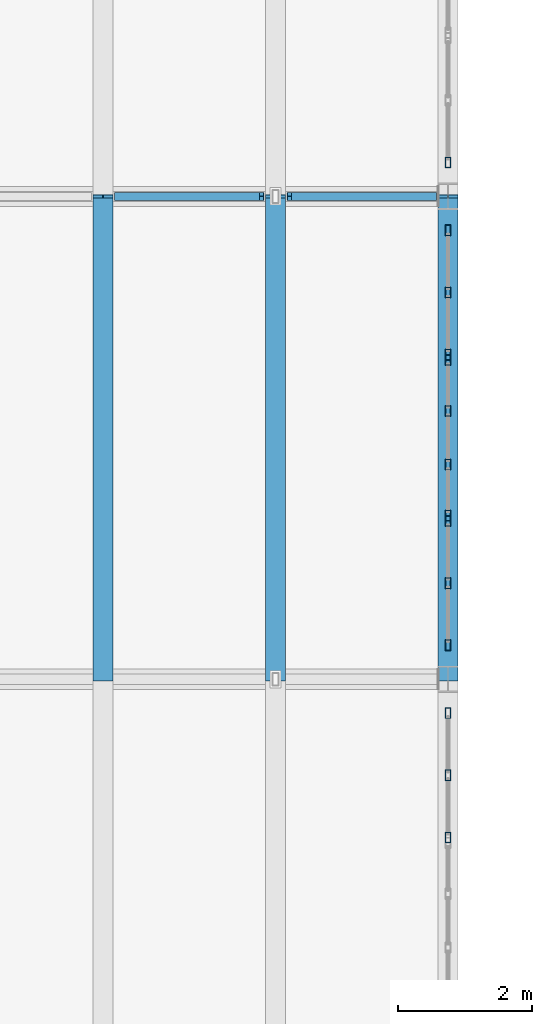
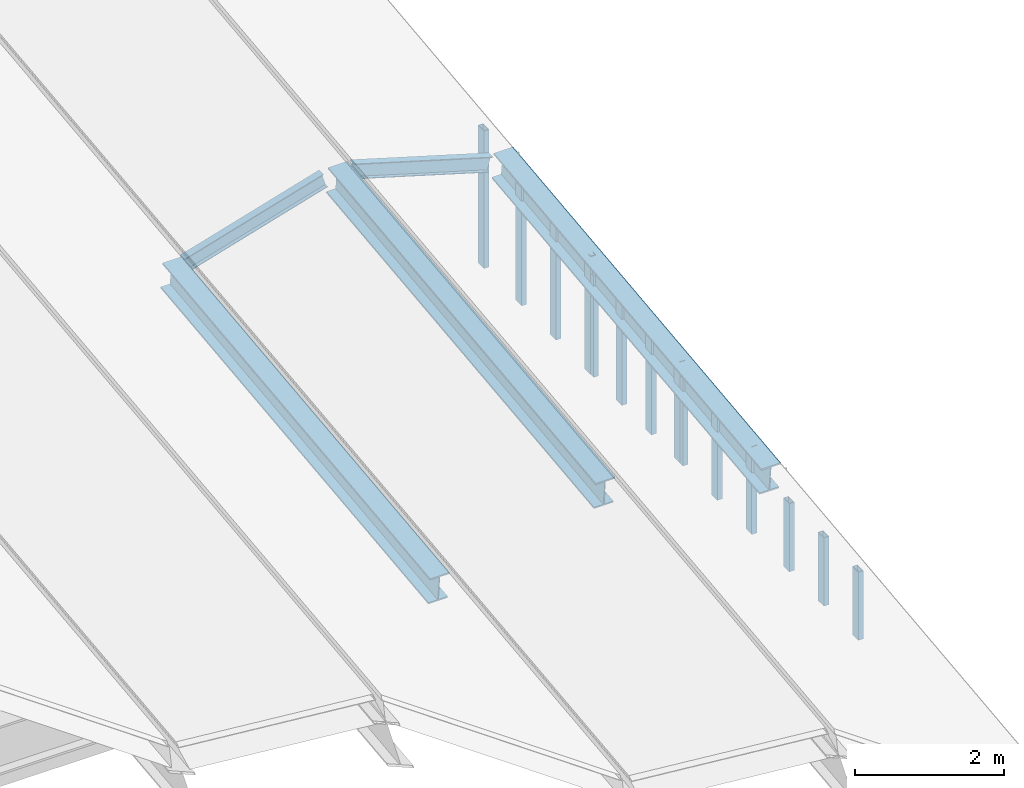
# One storey, part 13 of 48: 16 members, 3 beams, 5 elements without a shape of their own.
"""IFC4 building model written with IfcOpenShell, lengths in metres."""

import ifcopenshell
import ifcopenshell.guid

model = None  # the IFC model being written
_history = None  # IfcOwnerHistory: only IFC2X3 demands one
_inside = {}  # id of a spatial element -> (the spatial element, [elements in it])
_under = {}  # id of a project, library or spatial element -> (it, [spatial elements below it])
_declared = {}  # id of a project -> (the project, [libraries it declares])
_typed = {}  # id of a type object -> (the type object, [elements of that type])
_made_of = {}  # id of a material, layer set ... -> (it, [elements and type objects made of it])


def new_model(schema):
    """Start an empty IFC model of exactly this schema.

    Asked for "IFC4X3", IfcOpenShell would pick the latest addendum, in which some entities
    have other attributes; the version numbers below select the first issue.
    IFC2X3 requires an IfcOwnerHistory on every rooted entity: one is made here for all.
    """
    global model, _history
    if schema == "IFC4X3":
        model = ifcopenshell.file(schema_version=(4, 3, 0, 0))
    else:
        model = ifcopenshell.file(schema=schema)
    _inside.clear()
    _under.clear()
    _declared.clear()
    _typed.clear()
    _made_of.clear()
    _history = None
    if model.schema == "IFC2X3":
        org = make("IfcOrganization", Name="unknown")
        user = make(
            "IfcPersonAndOrganization",
            ThePerson=make("IfcPerson", FamilyName="unknown"),
            TheOrganization=org,
        )
        app = make(
            "IfcApplication",
            ApplicationDeveloper=org,
            Version="unknown",
            ApplicationFullName="unknown",
            ApplicationIdentifier="unknown",
        )
        _history = make(
            "IfcOwnerHistory",
            OwningUser=user,
            OwningApplication=app,
            ChangeAction="ADDED",
            CreationDate=0,
        )
    return model


def make(cls, **values):
    """One entity of the class cls with the attributes given. An attribute that is None is left unset."""
    return model.create_entity(
        cls, **{name: value for name, value in values.items() if value is not None}
    )


def rooted(cls, **values):
    """An entity with a GlobalId (a new one), such as an element, a storey or a relation."""
    return make(cls, GlobalId=ifcopenshell.guid.new(), OwnerHistory=_history, **values)


def si_unit(unit_type, name, prefix=None):
    """IfcSIUnit, for example si_unit("LENGTHUNIT", "METRE", prefix="MILLI")."""
    return make("IfcSIUnit", UnitType=unit_type, Prefix=prefix, Name=name)


def assignment(units):
    """IfcUnitAssignment: the units of a project."""
    return None if units is None else make("IfcUnitAssignment", Units=units)


def point(xyz):
    """IfcCartesianPoint."""
    return None if xyz is None else make("IfcCartesianPoint", Coordinates=xyz)


def direction(xyz):
    """IfcDirection."""
    return None if xyz is None else make("IfcDirection", DirectionRatios=xyz)


def frame(location, z_axis=None, x_axis=None):
    """IfcAxis2Placement3D, a coordinate frame: its origin and axes. An axis left out is left unset."""
    return make(
        "IfcAxis2Placement3D",
        Location=point(location),
        Axis=direction(z_axis),
        RefDirection=direction(x_axis),
    )


def frame_2d(location, x_axis=None):
    """IfcAxis2Placement2D, a coordinate frame in the plane: its origin and x axis."""
    return make(
        "IfcAxis2Placement2D", Location=point(location), RefDirection=direction(x_axis)
    )


def origin():
    """The frame at (0, 0, 0) with its axes left unset."""
    return frame((0.0, 0.0, 0.0))


def origin_2d():
    """The frame at (0, 0) in the plane with its x axis left unset."""
    return frame_2d((0.0, 0.0))


def place(relative_to, where):
    """IfcLocalPlacement: puts the frame where relative to a parent placement (None: the world)."""
    return make(
        "IfcLocalPlacement", PlacementRelTo=relative_to, RelativePlacement=where
    )


def context(
    kind, dimensions, precision=None, world=None, true_north=None, identifier=None
):
    """IfcGeometricRepresentationContext, for example the 3D "Model" context."""
    return make(
        "IfcGeometricRepresentationContext",
        ContextIdentifier=identifier,
        ContextType=kind,
        CoordinateSpaceDimension=dimensions,
        Precision=precision,
        WorldCoordinateSystem=world,
        TrueNorth=true_north,
    )


def subcontext(parent, identifier, kind, view, scale=None):
    """IfcGeometricRepresentationSubContext, for example "Body" below "Model"."""
    return make(
        "IfcGeometricRepresentationSubContext",
        ContextIdentifier=identifier,
        ContextType=kind,
        ParentContext=parent,
        TargetScale=scale,
        TargetView=view,
    )


def project(units=None, contexts=None):
    """IfcProject with its units and contexts."""
    return rooted(
        "IfcProject",
        Name="project",
        RepresentationContexts=contexts,
        UnitsInContext=assignment(units),
    )


def spatial(cls, under=None, at=None, **own):
    """A site, building, storey or space (cls), placed at a placement, below another one or the project."""
    s = rooted(cls, ObjectPlacement=at, **own)
    if under is not None:
        _under.setdefault(under.id(), (under, []))[1].append(s)
    return s


def profile(cls, at=None, kind="AREA", **sizes):
    """A parametric profile (cls). Its sizes go by their IFC names, for example OverallWidth=200.0."""
    return make(cls, ProfileType=kind, Position=at, **sizes)


def hollow_rectangle(**sizes):
    """IfcRectangleHollowProfileDef."""
    return profile("IfcRectangleHollowProfileDef", **sizes)


def i_section(**sizes):
    """IfcIShapeProfileDef."""
    return profile("IfcIShapeProfileDef", **sizes)


def extrude(swept, where, along, depth):
    """IfcExtrudedAreaSolid: the profile swept, set in the frame where, extruded along a direction by depth."""
    return make(
        "IfcExtrudedAreaSolid",
        SweptArea=swept,
        Position=where,
        ExtrudedDirection=direction(along),
        Depth=depth,
    )


def shape(context_of_items, identifier, shape_type, items):
    """IfcShapeRepresentation: the items that make up one representation, for example the "Body"."""
    return make(
        "IfcShapeRepresentation",
        ContextOfItems=context_of_items,
        RepresentationIdentifier=identifier,
        RepresentationType=shape_type,
        Items=items,
    )


def material(Name=None, Category=None):
    """IfcMaterial."""
    return make("IfcMaterial", Name=Name, Category=Category)


def layer(
    of_material, thickness, ventilated=None, Name=None, Category=None, Priority=None
):
    """IfcMaterialLayer: one layer of a wall or slab, of a material (None: an air gap)."""
    return make(
        "IfcMaterialLayer",
        Material=of_material,
        LayerThickness=thickness,
        IsVentilated=ventilated,
        Name=Name,
        Category=Category,
        Priority=Priority,
    )


def layer_set(layers, Name=None):
    """IfcMaterialLayerSet."""
    return make("IfcMaterialLayerSet", MaterialLayers=layers, LayerSetName=Name)


def material_profile(
    of_material, cross_section, Name=None, Category=None, Priority=None
):
    """IfcMaterialProfile: a cross section and its material."""
    return make(
        "IfcMaterialProfile",
        Name=Name,
        Material=of_material,
        Profile=cross_section,
        Priority=Priority,
        Category=Category,
    )


def profile_set(profiles, Name=None, composite=None):
    """IfcMaterialProfileSet."""
    return make(
        "IfcMaterialProfileSet",
        Name=Name,
        MaterialProfiles=profiles,
        CompositeProfile=composite,
    )


def made_of(thing, what):
    """Note that an element or type object is made of a material, layer set ...; save() writes the relation."""
    if what is not None:
        _made_of.setdefault(what.id(), (what, []))[1].append(thing)
    return thing


def type_object(cls, material=None, **own):
    """A type object (cls), such as IfcWallType, which elements share."""
    return made_of(rooted(cls, **own), material)


def element(
    cls,
    number,
    at=None,
    inside=None,
    cuts=None,
    type_object=None,
    material=None,
    context=None,
    identifier="Body",
    shape_type=None,
    held_by="IfcProductDefinitionShape",
    body=None,
    shapes=None,
    **own,
):
    """One element of the class cls, such as IfcWall. Its Tag is "e" and its number.

    at: its placement. inside: the storey or other place that contains it. cuts: it is an
    opening in that element (IfcRelVoidsElement). A single representation is given by context,
    identifier, shape_type and body (its items); several are given by shapes. held_by: the class
    of the entity that holds the representations. save() writes the other relations.
    """
    e = rooted(cls, Tag="e%d" % number, ObjectPlacement=at, **own)
    if body is not None:
        shapes = [shape(context, identifier, shape_type, body)]
    if shapes is not None:
        e.Representation = make(held_by, Representations=shapes)
    if inside is not None:
        _inside.setdefault(inside.id(), (inside, []))[1].append(e)
    if cuts is not None:
        rooted(
            "IfcRelVoidsElement", RelatingBuildingElement=cuts, RelatedOpeningElement=e
        )
    if type_object is not None:
        _typed.setdefault(type_object.id(), (type_object, []))[1].append(e)
    return made_of(e, material)


def aggregate(whole, parts):
    """IfcRelAggregates: a whole, such as a stair, and the parts it consists of."""
    return rooted("IfcRelAggregates", RelatingObject=whole, RelatedObjects=parts)


def save(model, path):
    """Write the relations noted so far, then the file.

    IfcRelAggregates (storeys below a building ...), IfcRelContainedInSpatialStructure (elements
    in a storey), IfcRelDefinesByType, IfcRelAssociatesMaterial and IfcRelDeclares: one each for
    every whole, place, type object, material and project.
    """
    for whole, parts in _under.values():
        aggregate(whole, parts)
    for where, things in _inside.values():
        rooted(
            "IfcRelContainedInSpatialStructure",
            RelatedElements=things,
            RelatingStructure=where,
        )
    for kind, things in _typed.values():
        rooted("IfcRelDefinesByType", RelatedObjects=things, RelatingType=kind)
    for what, things in _made_of.values():
        rooted("IfcRelAssociatesMaterial", RelatedObjects=things, RelatingMaterial=what)
    for by, libraries in _declared.values():
        rooted("IfcRelDeclares", RelatingContext=by, RelatedDefinitions=libraries)
    model.write(path)


model = new_model("IFC4")

# Units and contexts
model_context = context("Model", 3, precision=1e-05, world=origin(), true_north=direction((0.0, 1.0)))
body_context = subcontext(model_context, "Body", "Model", "MODEL_VIEW")
ifc_project = project(units=[si_unit("LENGTHUNIT", "METRE"), si_unit("AREAUNIT", "SQUARE_METRE"), si_unit("VOLUMEUNIT", "CUBIC_METRE"), si_unit("PLANEANGLEUNIT", "RADIAN"), si_unit("MASSUNIT", "GRAM", prefix="KILO"), si_unit("THERMODYNAMICTEMPERATUREUNIT", "KELVIN"), si_unit("POWERUNIT", "WATT")], contexts=[model_context])

# Site, building, storey
site_placement = place(None, origin())
site = spatial("IfcSite", under=ifc_project, at=site_placement, CompositionType="ELEMENT")
building_placement = place(site_placement, origin())
building = spatial("IfcBuilding", under=site, at=building_placement, Name="Kaldorven Railside Theatre", CompositionType="ELEMENT")
storey_placement = place(building_placement, frame((0.0, 0.0, 18.89990234375)))
storey = spatial("IfcBuildingStorey", under=building, at=storey_placement, Name="L04", CompositionType="ELEMENT", Elevation=18.89990234375)

# Beams
ifc_material_1 = material(Name="Steel S355", Category="steel")
ifc_material_profile_1 = material_profile(ifc_material_1, i_section(OverallWidth=0.300048828125, OverallDepth=0.449951171875, WebThickness=0.013916015625, FlangeThickness=0.02587890625, at=origin_2d()), Name="HEB 450")
ifc_profile_set_1 = profile_set([ifc_material_profile_1], Name="Steel S355")
beam_type = type_object("IfcBeamType", Name="BM-HEB450", PredefinedType="BEAM", material=ifc_profile_set_1)
for number, where, z_axis, x_axis, name in (
    (1, (118.05712890625, 55.199951171875, 1.184326171875), (0.0, 0.993575928723, 0.11316745938), (-1.0, 0.0, 0.0), "V1 Folded-Plate Valley Girder VB-080"),
    (2, (120.62841796875, 55.199951171875, 1.849365234375), (0.0, 0.993575928723, 0.11316745938), (-1.0, 0.0, 0.0), "V1 Folded-Plate Ridge Girder RB-086"),
    (3, (123.199951171875, 55.199951171875, 1.184326171875), (0.0, 0.993575928723, 0.11316745938), (-1.0, 0.0, 0.0), "V1 Folded-Plate Valley Girder VB-092"),
):
    element("IfcBeam", number, at=place(storey_placement, frame(where, z_axis=z_axis, x_axis=x_axis)), inside=storey, type_object=beam_type, Name=name, PredefinedType="BEAM", context=body_context, shape_type="SweptSolid", body=[
        extrude(i_section(OverallWidth=0.300048828125, OverallDepth=0.449951171875, WebThickness=0.013916015625, FlangeThickness=0.02587890625, at=origin_2d()), origin(), (0.0, 0.0, 1.0), 7.24658203125),
    ])

# Curtain wall, members
ifc_material_2 = material(Name="Low-E laminated solar-control glass", Category="glass")
ifc_layer_1 = layer(ifc_material_2, 0.159912109375, Name="Low-E laminated solar-control glass")
ifc_layer_set_1 = layer_set([ifc_layer_1], Name="Low-E laminated solar-control glass")
curtain_wall_type_1 = type_object("IfcCurtainWallType", Name="CWT-28", PredefinedType="USERDEFINED", material=ifc_layer_set_1)
curtain_wall_1_placement = place(storey_placement, origin())
curtain_wall_1 = element("IfcCurtainWall", 4, at=curtain_wall_1_placement, inside=storey, type_object=curtain_wall_type_1, Name="Main Theatre East Eave Clerestory CWG-020", ObjectType="FLUTED GLAZING", PredefinedType="USERDEFINED")
ifc_material_3 = material(Name="Anodised bronze aluminium", Category="aluminium")
ifc_material_profile_2 = material_profile(ifc_material_3, hollow_rectangle(XDim=0.080078125, YDim=0.159912109375, WallThickness=0.00634765625, at=origin_2d()), Name="RHS 160x80x6.3")
ifc_profile_set_2 = profile_set([ifc_material_profile_2], Name="Anodised bronze aluminium")
member_type_1 = type_object("IfcMemberType", Name="CWM-160", PredefinedType="MULLION", material=ifc_profile_set_2)
member_1_placement = place(storey_placement, frame((123.199951171875, 52.840087890625, 0.02001953125), z_axis=(0.0, 0.0, 1.0), x_axis=(-1.0, 0.0, 0.0)))
member_1 = element("IfcMember", 5, at=member_1_placement, type_object=member_type_1, Name="CWG-020 mullion 1", PredefinedType="MULLION", context=body_context, shape_type="SweptSolid", body=[
    extrude(hollow_rectangle(XDim=0.080078125, YDim=0.159912109375, WallThickness=0.00634765625, at=origin_2d()), origin(), (0.0, 0.0, 1.0), 1.1201171875),
])
member_2_placement = place(storey_placement, frame((123.199951171875, 53.767578125, 0.02001953125), z_axis=(0.0, 0.0, 1.0), x_axis=(-1.0, 0.0, 0.0)))
member_2 = element("IfcMember", 6, at=member_2_placement, type_object=member_type_1, Name="CWG-020 mullion 2", PredefinedType="MULLION", context=body_context, shape_type="SweptSolid", body=[
    extrude(hollow_rectangle(XDim=0.080078125, YDim=0.159912109375, WallThickness=0.00634765625, at=origin_2d()), origin(), (0.0, 0.0, 1.0), 1.1201171875),
])
member_3_placement = place(storey_placement, frame((123.199951171875, 54.695068359375, 0.02001953125), z_axis=(0.0, 0.0, 1.0), x_axis=(-1.0, 0.0, 0.0)))
member_3 = element("IfcMember", 7, at=member_3_placement, type_object=member_type_1, Name="CWG-020 mullion 3", PredefinedType="MULLION", context=body_context, shape_type="SweptSolid", body=[
    extrude(hollow_rectangle(XDim=0.080078125, YDim=0.159912109375, WallThickness=0.00634765625, at=origin_2d()), origin(), (0.0, 0.0, 1.0), 1.1201171875),
])
aggregate(curtain_wall_1, [member_1, member_2, member_3])

ifc_layer_2 = layer(ifc_material_2, 0.159912109375, Name="Low-E laminated solar-control glass")
ifc_layer_set_2 = layer_set([ifc_layer_2], Name="Low-E laminated solar-control glass")
curtain_wall_type_2 = type_object("IfcCurtainWallType", Name="CWT-29", PredefinedType="USERDEFINED", material=ifc_layer_set_2)
curtain_wall_2_placement = place(storey_placement, origin())
curtain_wall_2 = element("IfcCurtainWall", 8, at=curtain_wall_2_placement, inside=storey, type_object=curtain_wall_type_2, Name="Main Theatre East Eave Clerestory CWG-021", ObjectType="FLUTED GLAZING", PredefinedType="USERDEFINED")
member_4_placement = place(storey_placement, frame((123.199951171875, 55.705078125, 0.02001953125), z_axis=(0.0, 0.0, 1.0), x_axis=(-1.0, 0.0, 0.0)))
member_4 = element("IfcMember", 9, at=member_4_placement, type_object=member_type_1, Name="CWG-021 mullion 1", PredefinedType="MULLION", context=body_context, shape_type="SweptSolid", body=[
    extrude(hollow_rectangle(XDim=0.080078125, YDim=0.159912109375, WallThickness=0.00634765625, at=origin_2d()), origin(), (0.0, 0.0, 1.0), 1.440185546875),
])
member_5_placement = place(storey_placement, frame((123.199951171875, 56.632568359375, 0.02001953125), z_axis=(0.0, 0.0, 1.0), x_axis=(-1.0, 0.0, 0.0)))
member_5 = element("IfcMember", 10, at=member_5_placement, type_object=member_type_1, Name="CWG-021 mullion 2", PredefinedType="MULLION", context=body_context, shape_type="SweptSolid", body=[
    extrude(hollow_rectangle(XDim=0.080078125, YDim=0.159912109375, WallThickness=0.00634765625, at=origin_2d()), origin(), (0.0, 0.0, 1.0), 1.440185546875),
])
member_6_placement = place(storey_placement, frame((123.199951171875, 57.56005859375, 0.02001953125), z_axis=(0.0, 0.0, 1.0), x_axis=(-1.0, 0.0, 0.0)))
member_6 = element("IfcMember", 11, at=member_6_placement, type_object=member_type_1, Name="CWG-021 mullion 3", PredefinedType="MULLION", context=body_context, shape_type="SweptSolid", body=[
    extrude(hollow_rectangle(XDim=0.080078125, YDim=0.159912109375, WallThickness=0.00634765625, at=origin_2d()), origin(), (0.0, 0.0, 1.0), 1.440185546875),
])
aggregate(curtain_wall_2, [member_4, member_5, member_6])

ifc_layer_3 = layer(ifc_material_2, 0.159912109375, Name="Low-E laminated solar-control glass")
ifc_layer_set_3 = layer_set([ifc_layer_3], Name="Low-E laminated solar-control glass")
curtain_wall_type_3 = type_object("IfcCurtainWallType", Name="CWT-30", PredefinedType="USERDEFINED", material=ifc_layer_set_3)
curtain_wall_3_placement = place(storey_placement, origin())
curtain_wall_3 = element("IfcCurtainWall", 12, at=curtain_wall_3_placement, inside=storey, type_object=curtain_wall_type_3, Name="Main Theatre East Eave Clerestory CWG-022", ObjectType="FLUTED GLAZING", PredefinedType="USERDEFINED")
member_7_placement = place(storey_placement, frame((123.199951171875, 57.639892578125, 0.02001953125), z_axis=(0.0, 0.0, 1.0), x_axis=(-1.0, 0.0, 0.0)))
member_7 = element("IfcMember", 13, at=member_7_placement, type_object=member_type_1, Name="CWG-022 mullion 1", PredefinedType="MULLION", context=body_context, shape_type="SweptSolid", body=[
    extrude(hollow_rectangle(XDim=0.080078125, YDim=0.159912109375, WallThickness=0.00634765625, at=origin_2d()), origin(), (0.0, 0.0, 1.0), 1.66015625),
])
member_8_placement = place(storey_placement, frame((123.199951171875, 58.39990234375, 0.02001953125), z_axis=(0.0, 0.0, 1.0), x_axis=(-1.0, 0.0, 0.0)))
member_8 = element("IfcMember", 14, at=member_8_placement, type_object=member_type_1, Name="CWG-022 mullion 2", PredefinedType="MULLION", context=body_context, shape_type="SweptSolid", body=[
    extrude(hollow_rectangle(XDim=0.080078125, YDim=0.159912109375, WallThickness=0.00634765625, at=origin_2d()), origin(), (0.0, 0.0, 1.0), 1.66015625),
])
member_9_placement = place(storey_placement, frame((123.199951171875, 59.199951171875, 0.02001953125), z_axis=(0.0, 0.0, 1.0), x_axis=(-1.0, 0.0, 0.0)))
member_9 = element("IfcMember", 15, at=member_9_placement, type_object=member_type_1, Name="CWG-022 mullion 3", PredefinedType="MULLION", context=body_context, shape_type="SweptSolid", body=[
    extrude(hollow_rectangle(XDim=0.080078125, YDim=0.159912109375, WallThickness=0.00634765625, at=origin_2d()), origin(), (0.0, 0.0, 1.0), 1.66015625),
])
member_10_placement = place(storey_placement, frame((123.199951171875, 59.9599609375, 0.02001953125), z_axis=(0.0, 0.0, 1.0), x_axis=(-1.0, 0.0, 0.0)))
member_10 = element("IfcMember", 16, at=member_10_placement, type_object=member_type_1, Name="CWG-022 mullion 4", PredefinedType="MULLION", context=body_context, shape_type="SweptSolid", body=[
    extrude(hollow_rectangle(XDim=0.080078125, YDim=0.159912109375, WallThickness=0.00634765625, at=origin_2d()), origin(), (0.0, 0.0, 1.0), 1.66015625),
])
aggregate(curtain_wall_3, [member_7, member_8, member_9, member_10])

ifc_layer_4 = layer(ifc_material_2, 0.159912109375, Name="Low-E laminated solar-control glass")
ifc_layer_set_4 = layer_set([ifc_layer_4], Name="Low-E laminated solar-control glass")
curtain_wall_type_4 = type_object("IfcCurtainWallType", Name="CWT-31", PredefinedType="USERDEFINED", material=ifc_layer_set_4)
curtain_wall_4_placement = place(storey_placement, origin())
curtain_wall_4 = element("IfcCurtainWall", 17, at=curtain_wall_4_placement, inside=storey, type_object=curtain_wall_type_4, Name="Main Theatre East Eave Clerestory CWG-023", ObjectType="FLUTED GLAZING", PredefinedType="USERDEFINED")
member_11_placement = place(storey_placement, frame((123.199951171875, 60.0400390625, 0.02001953125), z_axis=(0.0, 0.0, 1.0), x_axis=(-1.0, 0.0, 0.0)))
member_11 = element("IfcMember", 18, at=member_11_placement, type_object=member_type_1, Name="CWG-023 mullion 1", PredefinedType="MULLION", context=body_context, shape_type="SweptSolid", body=[
    extrude(hollow_rectangle(XDim=0.080078125, YDim=0.159912109375, WallThickness=0.00634765625, at=origin_2d()), origin(), (0.0, 0.0, 1.0), 1.940185546875),
])
member_12_placement = place(storey_placement, frame((123.199951171875, 60.967529296875, 0.02001953125), z_axis=(0.0, 0.0, 1.0), x_axis=(-1.0, 0.0, 0.0)))
member_12 = element("IfcMember", 19, at=member_12_placement, type_object=member_type_1, Name="CWG-023 mullion 2", PredefinedType="MULLION", context=body_context, shape_type="SweptSolid", body=[
    extrude(hollow_rectangle(XDim=0.080078125, YDim=0.159912109375, WallThickness=0.00634765625, at=origin_2d()), origin(), (0.0, 0.0, 1.0), 1.940185546875),
])
member_13_placement = place(storey_placement, frame((123.199951171875, 61.89501953125, 0.02001953125), z_axis=(0.0, 0.0, 1.0), x_axis=(-1.0, 0.0, 0.0)))
member_13 = element("IfcMember", 20, at=member_13_placement, type_object=member_type_1, Name="CWG-023 mullion 3", PredefinedType="MULLION", context=body_context, shape_type="SweptSolid", body=[
    extrude(hollow_rectangle(XDim=0.080078125, YDim=0.159912109375, WallThickness=0.00634765625, at=origin_2d()), origin(), (0.0, 0.0, 1.0), 1.940185546875),
])
aggregate(curtain_wall_4, [member_11, member_12, member_13])

# Curtain wall, member
ifc_layer_5 = layer(ifc_material_2, 0.159912109375, Name="Low-E laminated solar-control glass")
ifc_layer_set_5 = layer_set([ifc_layer_5], Name="Low-E laminated solar-control glass")
curtain_wall_type_5 = type_object("IfcCurtainWallType", Name="CWT-32", PredefinedType="USERDEFINED", material=ifc_layer_set_5)
curtain_wall_5_placement = place(storey_placement, origin())
curtain_wall_5 = element("IfcCurtainWall", 21, at=curtain_wall_5_placement, inside=storey, type_object=curtain_wall_type_5, Name="Main Theatre East Eave Clerestory CWG-024", ObjectType="FLUTED GLAZING", PredefinedType="USERDEFINED")
member_14_placement = place(storey_placement, frame((123.199951171875, 62.905029296875, 0.02001953125), z_axis=(0.0, 0.0, 1.0), x_axis=(-1.0, 0.0, 0.0)))
member_14 = element("IfcMember", 22, at=member_14_placement, type_object=member_type_1, Name="CWG-024 mullion 1", PredefinedType="MULLION", context=body_context, shape_type="SweptSolid", body=[
    extrude(hollow_rectangle(XDim=0.080078125, YDim=0.159912109375, WallThickness=0.00634765625, at=origin_2d()), origin(), (0.0, 0.0, 1.0), 2.260009765625),
])
aggregate(curtain_wall_5, [member_14])

# Members
ifc_material_profile_3 = material_profile(ifc_material_1, i_section(OverallWidth=0.1201171875, OverallDepth=0.239990234375, WebThickness=0.006103515625, FlangeThickness=0.009765625, at=origin_2d()), Name="IPE 240")
ifc_profile_set_3 = profile_set([ifc_material_profile_3], Name="Steel S355")
member_type_2 = type_object("IfcMemberType", Name="MEM-IPE240", PredefinedType="PURLIN", material=ifc_profile_set_3)
member_15_placement = place(storey_placement, frame((118.26513671875, 62.39990234375, 2.078857421875), z_axis=(0.958611678215, 0.0, 0.284716789792), x_axis=(0.0, 1.0, 0.0)))
element("IfcMember", 23, at=member_15_placement, inside=storey, type_object=member_type_2, Name="V1 Folded-Roof Transverse Purlin PRL-026", PredefinedType="PURLIN", context=body_context, shape_type="SweptSolid", body=[
    extrude(i_section(OverallWidth=0.1201171875, OverallDepth=0.239990234375, WebThickness=0.006103515625, FlangeThickness=0.009765625, at=origin_2d()), origin(), (0.0, 0.0, 1.0), 2.248291015625),
])
member_16_placement = place(storey_placement, frame((120.83642578125, 62.39990234375, 2.718994140625), z_axis=(0.958620479351, 0.0, -0.284687155608), x_axis=(0.0, 1.0, 0.0)))
element("IfcMember", 24, at=member_16_placement, inside=storey, type_object=member_type_2, Name="V1 Folded-Roof Transverse Purlin PRL-028", PredefinedType="PURLIN", context=body_context, shape_type="SweptSolid", body=[
    extrude(i_section(OverallWidth=0.1201171875, OverallDepth=0.239990234375, WebThickness=0.006103515625, FlangeThickness=0.009765625, at=origin_2d()), origin(), (0.0, 0.0, 1.0), 2.24853515625),
])

save(model, "model.ifc")
